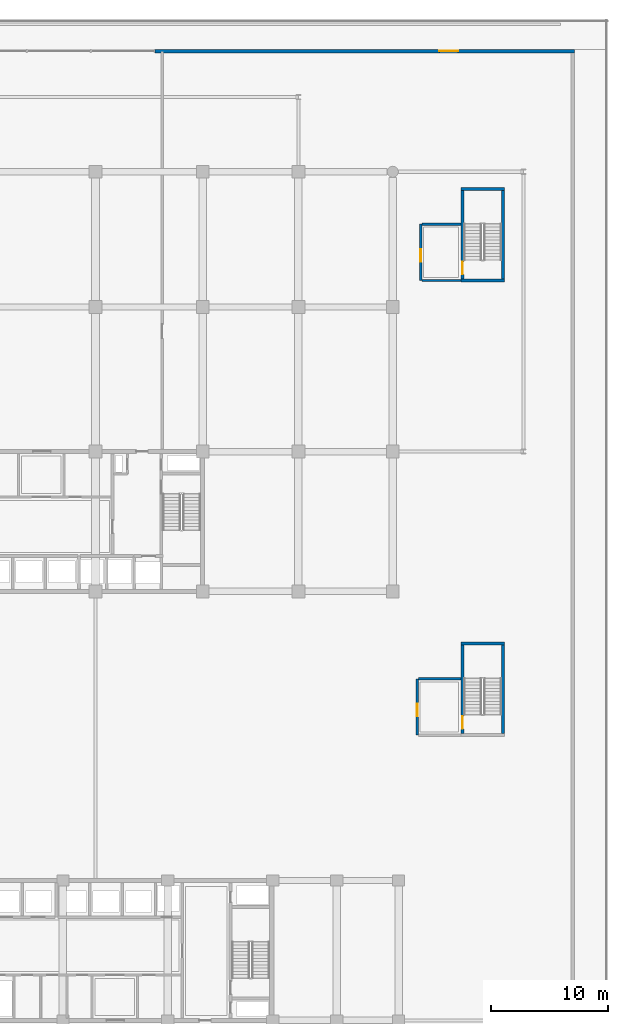
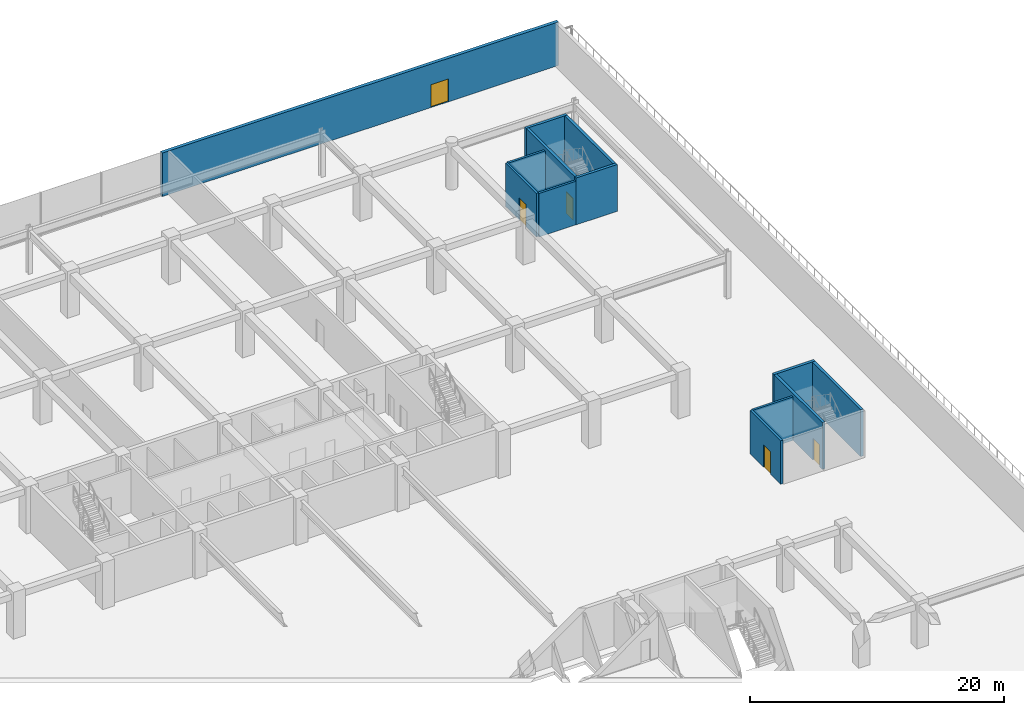
# One storey, part 28 of 40: 13 walls, 5 doors, 5 openings.
"""IFC4 building model written with IfcOpenShell, lengths in metres."""

from ifc_helpers import new_model, si_unit, direction, frame, frame_2d, origin, place, context, subcontext, project, spatial, rectangle, extrude, material, layer, layer_set, type_object, element, fill, save


model = new_model("IFC4")

# Units and contexts
model_context = context("Model", 3, precision=1e-05, world=origin(), true_north=direction((0.0, 1.0)))
body_context = subcontext(model_context, "Body", "Model", "MODEL_VIEW")
ifc_project = project(units=[si_unit("LENGTHUNIT", "METRE"), si_unit("AREAUNIT", "SQUARE_METRE"), si_unit("VOLUMEUNIT", "CUBIC_METRE"), si_unit("PLANEANGLEUNIT", "RADIAN"), si_unit("MASSUNIT", "GRAM", prefix="KILO")], contexts=[model_context])

# Site, building, storey
site_placement = place(None, origin())
site = spatial("IfcSite", under=ifc_project, at=site_placement, CompositionType="ELEMENT")
building_placement = place(site_placement, origin())
building = spatial("IfcBuilding", under=site, at=building_placement, Name="Korimba Cascade Residences", CompositionType="ELEMENT")
storey_placement = place(building_placement, frame((0.0, 0.0, 14.5)))
storey = spatial("IfcBuildingStorey", under=building, at=storey_placement, Name="L03", CompositionType="ELEMENT", Elevation=14.5)

# Wall, opening, door
ifc_material_1 = material(Name="Precast concrete C40/50", Category="concrete")
ifc_layer_1 = layer(ifc_material_1, 0.300048828125)
ifc_layer_set_1 = layer_set([ifc_layer_1], Name="Precast concrete C40/50")
wall_type_1 = type_object("IfcWallType", Name="EW-STONE-300", PredefinedType="STANDARD", material=ifc_layer_set_1)
wall_1_placement = place(storey_placement, frame((144.0, 101.550048828125, 0.0), z_axis=(0.0, 0.0, 1.0), x_axis=(-1.0, 0.0, 0.0)))
wall_1 = element("IfcWall", 1, at=wall_1_placement, inside=storey, type_object=wall_type_1, Name="L03 North-East Podium Wall", PredefinedType="STANDARD", context=body_context, shape_type="SweptSolid", body=[
    extrude(rectangle(XDim=36.0, YDim=0.300048828125, at=frame_2d((18.0, 0.0))), origin(), (0.0, 0.0, 1.0), 4.179931640625),
])
opening_1_placement = place(wall_1_placement, frame((10.0, 0.0, 0.0)))
opening_1 = element("IfcOpeningElement", 2, at=opening_1_placement, cuts=wall_1, Name="Opening D-TR1", PredefinedType="OPENING", context=body_context, shape_type="SweptSolid", body=[
    extrude(rectangle(XDim=1.60009765625, YDim=2.199951171875, at=frame_2d((0.800048828125, 1.10009765625))), frame((0.0, 0.16015625, 0.0), z_axis=(0.0, -1.0, 0.0), x_axis=(1.0, 0.0, 0.0)), (0.0, 0.0, 1.0), 0.320068359375),
])
ifc_material_2 = material(Name="Glazed Aluminium Terrace Door", Category="aluminium")
door_type_1 = type_object("IfcDoorType", Name="DR-EXT-TER", OperationType="NOTDEFINED", PredefinedType="DOOR", material=ifc_material_2)
door_1_placement = place(opening_1_placement, frame((1.60009765625, 0.0, 0.0), z_axis=(0.0, 0.0, 1.0), x_axis=(-1.0, 0.0, 0.0)))
door_1 = element("IfcDoor", 3, at=door_1_placement, inside=storey, type_object=door_type_1, Name="L03 North Terrace Access Door", OperationType="DOUBLE_DOOR_SINGLE_SWING", OverallHeight=2.199951171875, OverallWidth=1.60009765625, PredefinedType="DOOR", context=body_context, shape_type="SweptSolid", body=[
    extrude(rectangle(XDim=1.60009765625, YDim=2.199951171875, at=frame_2d((0.800048828125, 1.10009765625))), frame((0.0, 0.02490234375, 0.0), z_axis=(0.0, -1.0, 0.0), x_axis=(1.0, 0.0, 0.0)), (0.0, 0.0, 1.0), 0.050048828125),
])
fill(opening_1, door_1)

ifc_material_3 = material(Name="Concrete C40/50", Category="concrete")
ifc_layer_2 = layer(ifc_material_3, 0.199951171875)
ifc_layer_set_2 = layer_set([ifc_layer_2], Name="Concrete C40/50")
wall_type_2 = type_object("IfcWallType", Name="WAL-PART-200", PredefinedType="PARTITIONING", material=ifc_layer_set_2)
wall_2_placement = place(storey_placement, frame((130.5, 42.875, 0.0), z_axis=(0.0, 0.0, 1.0), x_axis=(0.0, 1.0, 0.0)))
wall_2 = element("IfcWall", 4, at=wall_2_placement, inside=storey, type_object=wall_type_2, Name="L03 Partition Wall CW-L03-PLEW", PredefinedType="PARTITIONING", context=body_context, shape_type="SweptSolid", body=[
    extrude(rectangle(XDim=4.824951171875, YDim=0.199951171875, at=frame_2d((2.41259765625, 0.0))), origin(), (0.0, 0.0, 1.0), 4.179931640625),
])
opening_2_placement = place(wall_2_placement, frame((1.60009765625, 0.0, 0.0)))
opening_2 = element("IfcOpeningElement", 5, at=opening_2_placement, cuts=wall_2, Name="Opening D-FD6", PredefinedType="OPENING", context=body_context, shape_type="SweptSolid", body=[
    extrude(rectangle(XDim=1.10009765625, YDim=2.14990234375, at=frame_2d((0.550048828125, 1.074951171875))), frame((0.0, 0.10986328125, 0.0), z_axis=(0.0, -1.0, 0.0), x_axis=(1.0, 0.0, 0.0)), (0.0, 0.0, 1.0), 0.219970703125),
])
ifc_material_4 = material(Name="Fire-Rated Timber Stair Lobby Door", Category="wood")
door_type_2 = type_object("IfcDoorType", Name="DR-FD90-1100", OperationType="NOTDEFINED", PredefinedType="DOOR", material=ifc_material_4)
door_2_placement = place(opening_2_placement, origin())
door_2 = element("IfcDoor", 6, at=door_2_placement, inside=storey, type_object=door_type_2, Name="L03 East Stair Vestibule Door", OperationType="SINGLE_SWING_RIGHT", OverallHeight=2.14990234375, OverallWidth=1.10009765625, PredefinedType="DOOR", context=body_context, shape_type="SweptSolid", body=[
    extrude(rectangle(XDim=1.10009765625, YDim=2.14990234375, at=frame_2d((0.550048828125, 1.074951171875))), frame((0.0, 0.02490234375, 0.0), z_axis=(0.0, -1.0, 0.0), x_axis=(1.0, 0.0, 0.0)), (0.0, 0.0, 1.0), 0.050048828125),
])
fill(opening_2, door_2)

# Wall
wall_3_placement = place(storey_placement, frame((130.60009765625, 47.699951171875, 0.0), z_axis=(0.0, 0.0, 1.0), x_axis=(1.0, 0.0, 0.0)))
element("IfcWall", 7, at=wall_3_placement, inside=storey, type_object=wall_type_2, Name="L03 Partition Wall CW-L03-PLEN", PredefinedType="PARTITIONING", context=body_context, shape_type="SweptSolid", body=[
    extrude(rectangle(XDim=3.64990234375, YDim=0.199951171875, at=frame_2d((1.824951171875, 0.0))), origin(), (0.0, 0.0, 1.0), 4.179931640625),
])

# Wall, opening, door
wall_4_placement = place(storey_placement, frame((130.800048828125, 81.875, 0.0), z_axis=(0.0, 0.0, 1.0), x_axis=(0.0, 1.0, 0.0)))
wall_4 = element("IfcWall", 8, at=wall_4_placement, inside=storey, type_object=wall_type_2, Name="L03 Partition Wall CW-L03-PL4W", PredefinedType="PARTITIONING", context=body_context, shape_type="SweptSolid", body=[
    extrude(rectangle(XDim=4.824951171875, YDim=0.199951171875, at=frame_2d((2.41259765625, 0.0))), origin(), (0.0, 0.0, 1.0), 4.179931640625),
])
opening_3_placement = place(wall_4_placement, frame((1.60009765625, 0.0, 0.0)))
opening_3 = element("IfcOpeningElement", 9, at=opening_3_placement, cuts=wall_4, Name="Opening D-FD6", PredefinedType="OPENING", context=body_context, shape_type="SweptSolid", body=[
    extrude(rectangle(XDim=1.10009765625, YDim=2.14990234375, at=frame_2d((0.550048828125, 1.074951171875))), frame((0.0, 0.10986328125, 0.0), z_axis=(0.0, -1.0, 0.0), x_axis=(1.0, 0.0, 0.0)), (0.0, 0.0, 1.0), 0.219970703125),
])
door_3_placement = place(opening_3_placement, origin())
door_3 = element("IfcDoor", 10, at=door_3_placement, inside=storey, type_object=door_type_2, Name="L03 North-East Stair Vestibule Door", OperationType="SINGLE_SWING_RIGHT", OverallHeight=2.14990234375, OverallWidth=1.10009765625, PredefinedType="DOOR", context=body_context, shape_type="SweptSolid", body=[
    extrude(rectangle(XDim=1.10009765625, YDim=2.14990234375, at=frame_2d((0.550048828125, 1.074951171875))), frame((0.0, 0.02490234375, 0.0), z_axis=(0.0, -1.0, 0.0), x_axis=(1.0, 0.0, 0.0)), (0.0, 0.0, 1.0), 0.050048828125),
])
fill(opening_3, door_3)

# Walls
for number, where, z_axis, x_axis, name in (
    (11, (130.89990234375, 81.875, 0.0), (0.0, 0.0, 1.0), (1.0, 0.0, 0.0), "L03 Partition Wall CW-L03-PL4S"),
    (12, (130.89990234375, 86.699951171875, 0.0), (0.0, 0.0, 1.0), (1.0, 0.0, 0.0), "L03 Partition Wall CW-L03-PL4N"),
):
    element("IfcWall", number, at=place(storey_placement, frame(where, z_axis=z_axis, x_axis=x_axis)), inside=storey, type_object=wall_type_2, Name=name, PredefinedType="PARTITIONING", context=body_context, shape_type="SweptSolid", body=[
        extrude(rectangle(XDim=3.35009765625, YDim=0.199951171875, at=frame_2d((1.675048828125, 0.0))), origin(), (0.0, 0.0, 1.0), 4.179931640625),
    ])

# Wall, opening, door
ifc_material_5 = material(Name="Concrete C50/60", Category="concrete")
ifc_layer_3 = layer(ifc_material_5, 0.25)
ifc_layer_set_3 = layer_set([ifc_layer_3], Name="Concrete C50/60")
wall_type_3 = type_object("IfcWallType", Name="WAL-SHAFT-250", PredefinedType="SHEAR", material=ifc_layer_set_3)
wall_5_placement = place(storey_placement, frame((134.375, 43.0, 0.0), z_axis=(0.0, 0.0, 1.0), x_axis=(0.0, 1.0, 0.0)))
wall_5 = element("IfcWall", 13, at=wall_5_placement, inside=storey, type_object=wall_type_3, Name="L03 Core Shear Wall CW-L03-STP2W", PredefinedType="SHEAR", context=body_context, shape_type="SweptSolid", body=[
    extrude(rectangle(XDim=7.60009765625, YDim=0.25, at=frame_2d((3.800048828125, 0.0))), origin(), (0.0, 0.0, 1.0), 4.5),
])
opening_4_placement = place(wall_5_placement, frame((0.39990234375, 0.0, 0.0)))
opening_4 = element("IfcOpeningElement", 14, at=opening_4_placement, cuts=wall_5, Name="Opening D-FD1", PredefinedType="OPENING", context=body_context, shape_type="SweptSolid", body=[
    extrude(rectangle(XDim=1.10009765625, YDim=2.10009765625, at=frame_2d((0.550048828125, 1.050048828125))), frame((0.0, 0.135009765625, 0.0), z_axis=(0.0, -1.0, 0.0), x_axis=(1.0, 0.0, 0.0)), (0.0, 0.0, 1.0), 0.27001953125),
])
ifc_material_6 = material(Name="Fire-Rated Steel Core Door", Category="steel")
door_type_3 = type_object("IfcDoorType", Name="DR-FD120-1100", OperationType="NOTDEFINED", PredefinedType="DOOR", material=ifc_material_6)
door_4_placement = place(opening_4_placement, origin())
door_4 = element("IfcDoor", 15, at=door_4_placement, inside=storey, type_object=door_type_3, Name="L03 Podium Stair ST-P2 Door", OperationType="SINGLE_SWING_LEFT", OverallHeight=2.10009765625, OverallWidth=1.10009765625, PredefinedType="DOOR", context=body_context, shape_type="SweptSolid", body=[
    extrude(rectangle(XDim=1.10009765625, YDim=2.10009765625, at=frame_2d((0.550048828125, 1.050048828125))), frame((0.0, 0.02490234375, 0.0), z_axis=(0.0, -1.0, 0.0), x_axis=(1.0, 0.0, 0.0)), (0.0, 0.0, 1.0), 0.050048828125),
])
fill(opening_4, door_4)

# Walls
wall_6_placement = place(storey_placement, frame((137.864990234375, 43.0, 0.0), z_axis=(0.0, 0.0, 1.0), x_axis=(0.0, 1.0, 0.0)))
element("IfcWall", 16, at=wall_6_placement, inside=storey, type_object=wall_type_3, Name="L03 Core Shear Wall CW-L03-STP2E", PredefinedType="SHEAR", context=body_context, shape_type="SweptSolid", body=[
    extrude(rectangle(XDim=7.60009765625, YDim=0.25, at=frame_2d((3.800048828125, 0.0))), origin(), (0.0, 0.0, 1.0), 4.5),
])
wall_7_placement = place(storey_placement, frame((134.25, 50.72509765625, 0.0), z_axis=(0.0, 0.0, 1.0), x_axis=(1.0, 0.0, 0.0)))
element("IfcWall", 17, at=wall_7_placement, inside=storey, type_object=wall_type_3, Name="L03 Core Shear Wall CW-L03-STP2N", PredefinedType="SHEAR", context=body_context, shape_type="SweptSolid", body=[
    extrude(rectangle(XDim=3.739990234375, YDim=0.25, at=frame_2d((1.8701171875, 0.0))), origin(), (0.0, 0.0, 1.0), 4.5),
])

# Wall, opening, door
wall_8_placement = place(storey_placement, frame((134.375, 82.0, 0.0), z_axis=(0.0, 0.0, 1.0), x_axis=(0.0, 1.0, 0.0)))
wall_8 = element("IfcWall", 18, at=wall_8_placement, inside=storey, type_object=wall_type_3, Name="L03 Core Shear Wall CW-L03-STP4W", PredefinedType="SHEAR", context=body_context, shape_type="SweptSolid", body=[
    extrude(rectangle(XDim=7.60009765625, YDim=0.25, at=frame_2d((3.800048828125, 0.0))), origin(), (0.0, 0.0, 1.0), 4.5),
])
opening_5_placement = place(wall_8_placement, frame((0.39990234375, 0.0, 0.0)))
opening_5 = element("IfcOpeningElement", 19, at=opening_5_placement, cuts=wall_8, Name="Opening D-FD1", PredefinedType="OPENING", context=body_context, shape_type="SweptSolid", body=[
    extrude(rectangle(XDim=1.10009765625, YDim=2.10009765625, at=frame_2d((0.550048828125, 1.050048828125))), frame((0.0, 0.135009765625, 0.0), z_axis=(0.0, -1.0, 0.0), x_axis=(1.0, 0.0, 0.0)), (0.0, 0.0, 1.0), 0.27001953125),
])
door_5_placement = place(opening_5_placement, origin())
door_5 = element("IfcDoor", 20, at=door_5_placement, inside=storey, type_object=door_type_3, Name="L03 Podium Stair ST-P4 Door", OperationType="SINGLE_SWING_LEFT", OverallHeight=2.10009765625, OverallWidth=1.10009765625, PredefinedType="DOOR", context=body_context, shape_type="SweptSolid", body=[
    extrude(rectangle(XDim=1.10009765625, YDim=2.10009765625, at=frame_2d((0.550048828125, 1.050048828125))), frame((0.0, 0.02490234375, 0.0), z_axis=(0.0, -1.0, 0.0), x_axis=(1.0, 0.0, 0.0)), (0.0, 0.0, 1.0), 0.050048828125),
])
fill(opening_5, door_5)

# Walls
wall_9_placement = place(storey_placement, frame((137.864990234375, 82.0, 0.0), z_axis=(0.0, 0.0, 1.0), x_axis=(0.0, 1.0, 0.0)))
element("IfcWall", 21, at=wall_9_placement, inside=storey, type_object=wall_type_3, Name="L03 Core Shear Wall CW-L03-STP4E", PredefinedType="SHEAR", context=body_context, shape_type="SweptSolid", body=[
    extrude(rectangle(XDim=7.60009765625, YDim=0.25, at=frame_2d((3.800048828125, 0.0))), origin(), (0.0, 0.0, 1.0), 4.5),
])
for number, where, z_axis, x_axis, name in (
    (22, (134.25, 81.875, 0.0), (0.0, 0.0, 1.0), (1.0, 0.0, 0.0), "L03 Core Shear Wall CW-L03-STP4S"),
    (23, (134.25, 89.72509765625, 0.0), (0.0, 0.0, 1.0), (1.0, 0.0, 0.0), "L03 Core Shear Wall CW-L03-STP4N"),
):
    element("IfcWall", number, at=place(storey_placement, frame(where, z_axis=z_axis, x_axis=x_axis)), inside=storey, type_object=wall_type_3, Name=name, PredefinedType="SHEAR", context=body_context, shape_type="SweptSolid", body=[
        extrude(rectangle(XDim=3.739990234375, YDim=0.25, at=frame_2d((1.8701171875, 0.0))), origin(), (0.0, 0.0, 1.0), 4.5),
    ])

save(model, "model.ifc")
